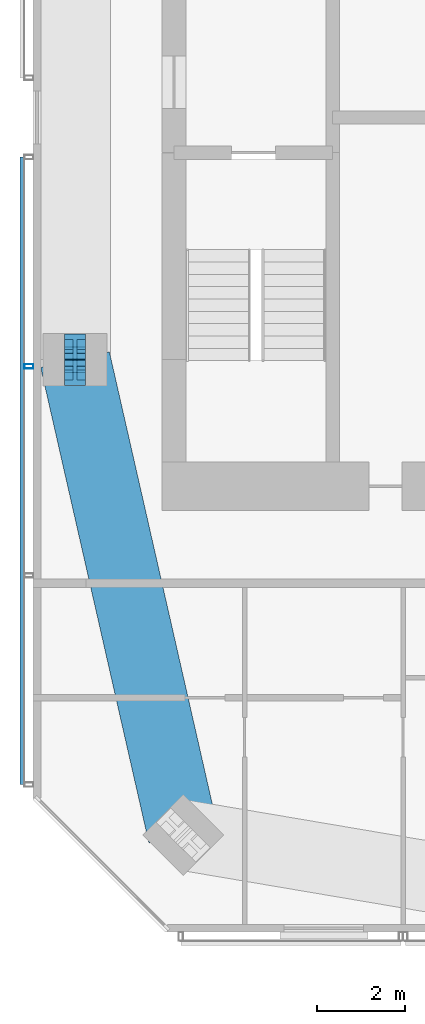
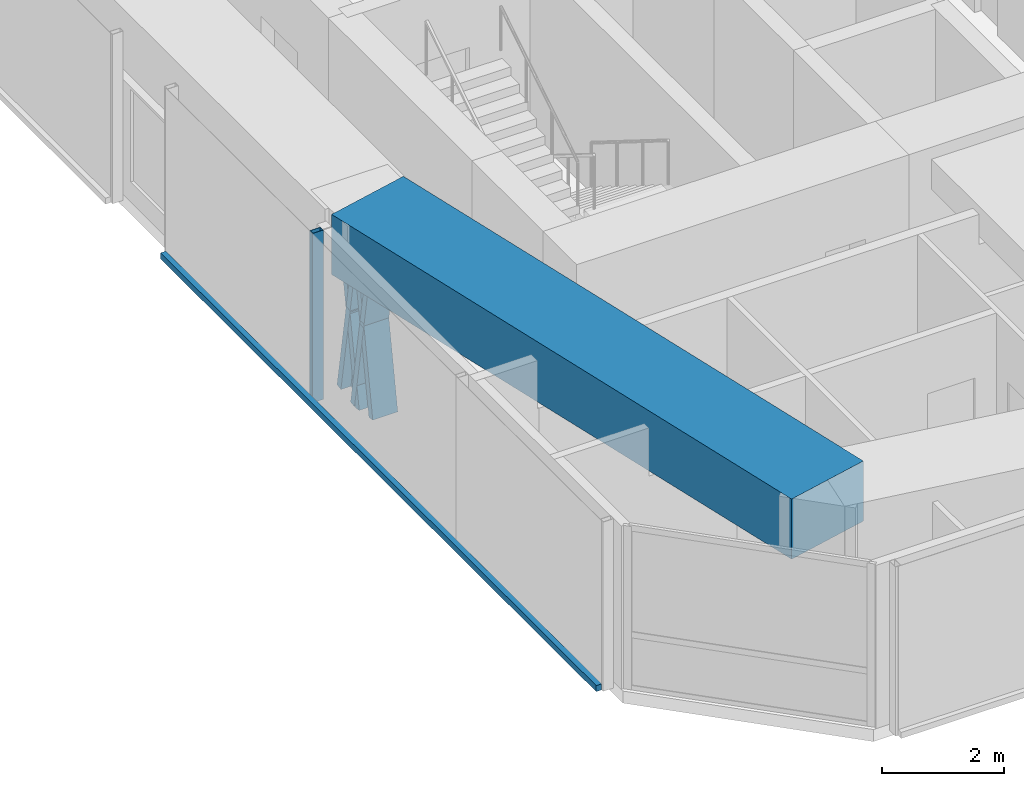
# One storey, part 3 of 18: 6 members, 1 beam, 1 element without a shape of its own.
"""IFC4 building model written with IfcOpenShell, lengths in metres."""

from ifc_helpers import new_model, si_unit, direction, frame, origin, origin_2d, place, context, subcontext, project, spatial, rectangle, hollow_rectangle, i_section, extrude, material, material_profile, profile_set, type_object, element, aggregate, save


model = new_model("IFC4")

# Units and contexts
model_context = context("Model", 3, precision=1e-05, world=origin(), true_north=direction((0.0, 1.0)))
body_context = subcontext(model_context, "Body", "Model", "MODEL_VIEW")
ifc_project = project(units=[si_unit("LENGTHUNIT", "METRE"), si_unit("AREAUNIT", "SQUARE_METRE"), si_unit("VOLUMEUNIT", "CUBIC_METRE"), si_unit("PLANEANGLEUNIT", "RADIAN"), si_unit("MASSUNIT", "GRAM", prefix="KILO")], contexts=[model_context])

# Site, building, storey
site_placement = place(None, origin())
site = spatial("IfcSite", under=ifc_project, at=site_placement, CompositionType="ELEMENT")
building_placement = place(site_placement, origin())
building = spatial("IfcBuilding", under=site, at=building_placement, Name="Jalousie Tower", CompositionType="ELEMENT")
storey_placement = place(building_placement, frame((0.0, 0.0, 252.949951171875)))
storey = spatial("IfcBuildingStorey", under=building, at=storey_placement, Name="L69", CompositionType="ELEMENT", Elevation=252.949951171875)

# Members
ifc_material_1 = material(Name="Steel ASTM A992 Grade 50", Category="steel")
ifc_material_profile_1 = material_profile(ifc_material_1, i_section(OverallWidth=0.472412109375, OverallDepth=0.5791015625, WebThickness=0.094970703125, FlangeThickness=0.1298828125, at=origin_2d()), Name="W14X808")
ifc_profile_set_1 = profile_set([ifc_material_profile_1], Name="Steel ASTM A992 Grade 50")
member_type_1 = type_object("IfcMemberType", Name="PERIMETER BRACE W14X808", PredefinedType="BRACE", material=ifc_profile_set_1)
for number, where, z_axis, x_axis, name in (
    (1, (17.75, 12.699951171875, -0.599853515625), (0.0, 0.168990530437, 0.98561767467), (-1.0, 0.0, 0.0), "Perimeter brace 14 L69 part 1"),
    (2, (17.75, 13.0, 1.150146484375), (0.0, 0.168990530437, 0.98561767467), (-1.0, 0.0, 0.0), "Perimeter brace 14 L69 part 2"),
    (3, (17.75, 13.300048828125, -0.599853515625), (0.0, -0.168990530437, 0.98561767467), (1.0, 0.0, 0.0), "Perimeter brace 14 L69 part 3"),
    (4, (17.75, 13.0, 1.150146484375), (0.0, -0.168990530437, 0.98561767467), (1.0, 0.0, 0.0), "Perimeter brace 14 L69 part 4"),
):
    element("IfcMember", number, at=place(storey_placement, frame(where, z_axis=z_axis, x_axis=x_axis)), inside=storey, type_object=member_type_1, Name=name, PredefinedType="BRACE", context=body_context, shape_type="SweptSolid", body=[
        extrude(i_section(OverallWidth=0.472412109375, OverallDepth=0.5791015625, WebThickness=0.094970703125, FlangeThickness=0.1298828125, at=origin_2d()), origin(), (0.0, 0.0, 1.0), 1.775634765625),
    ])

# Beam
ifc_material_2 = material(Name="Concrete f'c 40 MPa", Category="concrete")
ifc_material_profile_2 = material_profile(ifc_material_2, rectangle(XDim=1.60009765625, YDim=1.199951171875, at=origin_2d()), Name="RC 1600x1200")
ifc_profile_set_2 = profile_set([ifc_material_profile_2], Name="Concrete f'c 40 MPa")
beam_type = type_object("IfcBeamType", Name="RC BEAM 1600x1200", PredefinedType="BEAM", material=ifc_profile_set_2)
beam_placement = place(storey_placement, frame((17.75, 13.0, 2.900146484375), z_axis=(0.221971905818, -0.975053061647, 0.0), x_axis=(0.975053061647, 0.221971905818, 0.0)))
element("IfcBeam", 5, at=beam_placement, inside=storey, type_object=beam_type, Name="Edge band beam 14-01 under L70", PredefinedType="BEAM", context=body_context, shape_type="SweptSolid", body=[
    extrude(rectangle(XDim=1.60009765625, YDim=1.199951171875, at=origin_2d()), origin(), (0.0, 0.0, 1.0), 11.069091796875),
])

# Curtain wall, members
ifc_material_3 = material(Name="Perforated aluminium sheet", Category="aluminium")
curtain_wall_type = type_object("IfcCurtainWallType", Name="SOLAR SCREEN SS-2", PredefinedType="USERDEFINED", material=ifc_material_3)
curtain_wall_placement = place(storey_placement, origin())
curtain_wall = element("IfcCurtainWall", 6, at=curtain_wall_placement, inside=storey, type_object=curtain_wall_type, Name="Solar screen L69", ObjectType="SOLAR SCREEN SS-2", PredefinedType="USERDEFINED")
ifc_material_4 = material(Name="Steel ASTM A500 Grade C", Category="steel")
ifc_material_profile_3 = material_profile(ifc_material_4, hollow_rectangle(XDim=0.1015625, YDim=0.203125, WallThickness=0.0078125, at=origin_2d()), Name="HSS8X4X5/16")
ifc_profile_set_3 = profile_set([ifc_material_profile_3], Name="Steel ASTM A500 Grade C")
member_type_2 = type_object("IfcMemberType", Name="SOLAR SCREEN SS-2 MULLION", PredefinedType="MULLION", material=ifc_profile_set_3)
member_1_placement = place(storey_placement, frame((16.703369140625, 12.850341796875, -0.119873046875), z_axis=(0.0, 0.0, 1.0), x_axis=(0.0, -1.0, 0.0)))
member_1 = element("IfcMember", 7, at=member_1_placement, type_object=member_type_2, Name="SS2 post 2", PredefinedType="MULLION", context=body_context, shape_type="SweptSolid", body=[
    extrude(hollow_rectangle(XDim=0.1015625, YDim=0.203125, WallThickness=0.0078125, at=origin_2d()), origin(), (0.0, 0.0, 1.0), 3.3798828125),
])
ifc_material_5 = material(Name="Extruded aluminium screen rail", Category="aluminium")
ifc_material_profile_4 = material_profile(ifc_material_5, rectangle(XDim=0.1015625, YDim=0.1201171875, at=origin_2d()), Name="RAIL 102x120")
ifc_profile_set_4 = profile_set([ifc_material_profile_4], Name="Extruded aluminium screen rail")
member_type_3 = type_object("IfcMemberType", Name="SOLAR SCREEN SS-2 TRANSOM", PredefinedType="USERDEFINED", material=ifc_profile_set_4)
member_2_placement = place(storey_placement, frame((16.551025390625, 17.60009765625, -0.06005859375), z_axis=(0.0, -1.0, 0.0), x_axis=(1.0, 0.0, 0.0)))
member_2 = element("IfcMember", 8, at=member_2_placement, type_object=member_type_3, Name="SS2 rail", ObjectType="TRANSOM", PredefinedType="USERDEFINED", context=body_context, shape_type="SweptSolid", body=[
    extrude(rectangle(XDim=0.1015625, YDim=0.1201171875, at=origin_2d()), origin(), (0.0, 0.0, 1.0), 14.248779296875),
])
aggregate(curtain_wall, [member_1, member_2])

save(model, "model.ifc")
